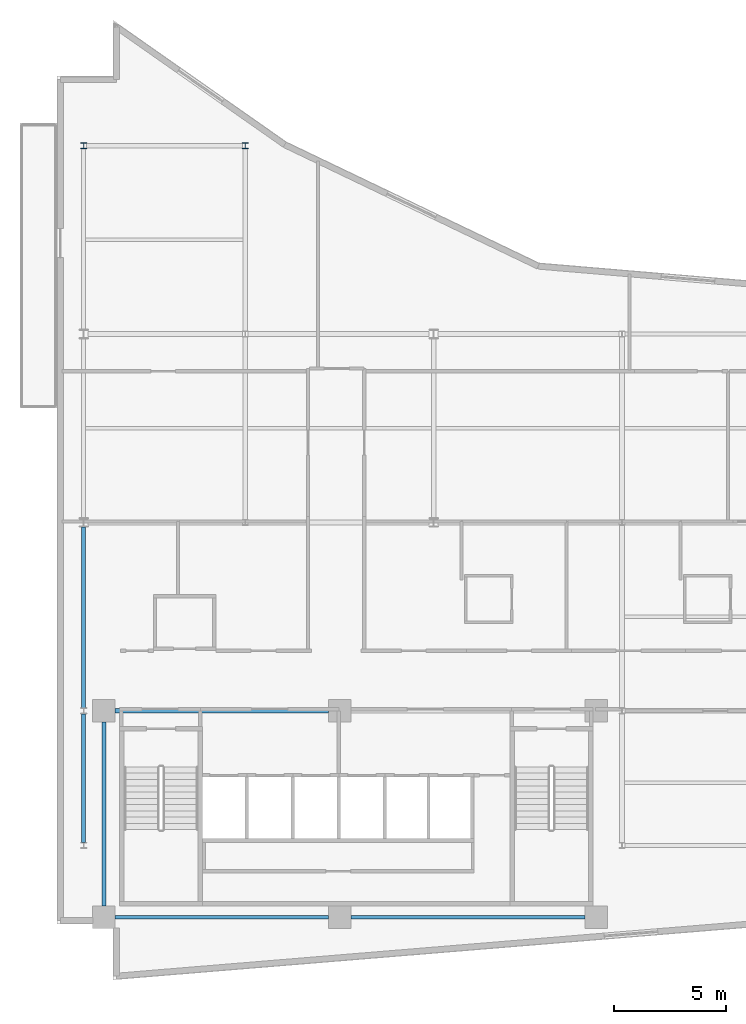
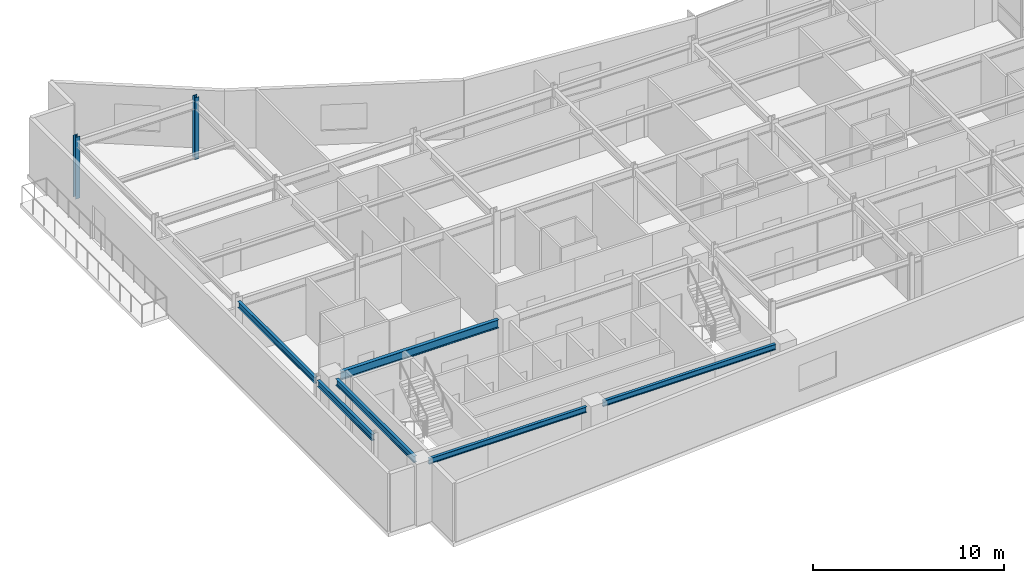
# One storey, part 3 of 17: 6 beams, 2 columns.
"""IFC4 building model written with IfcOpenShell, lengths in metres."""

from ifc_helpers import new_model, si_unit, direction, frame, origin, origin_2d, place, context, subcontext, project, spatial, i_section, extrude, material, material_profile, profile_set, type_object, element, save


model = new_model("IFC4")

# Units and contexts
model_context = context("Model", 3, precision=1e-05, world=origin(), true_north=direction((0.0, 1.0)))
body_context = subcontext(model_context, "Body", "Model", "MODEL_VIEW")
ifc_project = project(units=[si_unit("LENGTHUNIT", "METRE"), si_unit("AREAUNIT", "SQUARE_METRE"), si_unit("VOLUMEUNIT", "CUBIC_METRE"), si_unit("PLANEANGLEUNIT", "RADIAN"), si_unit("MASSUNIT", "GRAM", prefix="KILO")], contexts=[model_context])

# Site, building, storey
site_placement = place(None, origin())
site = spatial("IfcSite", under=ifc_project, at=site_placement, CompositionType="ELEMENT")
building_placement = place(site_placement, origin())
building = spatial("IfcBuilding", under=site, at=building_placement, Name="Varnakote Quay Hospital", CompositionType="ELEMENT")
storey_placement = place(building_placement, frame((0.0, 0.0, 184.199951171875)))
storey = spatial("IfcBuildingStorey", under=building, at=storey_placement, Name="L45", CompositionType="ELEMENT", Elevation=184.199951171875)

# Columns
ifc_material_1 = material(Name="Structural steel AS/NZS 3679.1 Grade 350 L0 (fy 340 MPa)", Category="steel")
ifc_material_profile_1 = material_profile(ifc_material_1, i_section(OverallWidth=0.256103515625, OverallDepth=0.260009765625, WebThickness=0.010498046875, FlangeThickness=0.017333984375, FilletRadius=0.0126953125, at=origin_2d()), Name="250UC89.5")
ifc_profile_set_1 = profile_set([ifc_material_profile_1], Name="Structural steel AS/NZS 3679.1 Grade 350 L0 (fy 340 MPa)")
column_type = type_object("IfcColumnType", Name="COL-STL-250UC89-5", PredefinedType="COLUMN", material=ifc_profile_set_1)
for number, where, z_axis, x_axis, name in (
    (1, (1.199951171875, 37.199951171875, 0.0), (0.0, 0.0, 1.0), (1.0, 0.0, 0.0), "L45 Structural Column C-1-37"),
    (2, (8.39990234375, 37.199951171875, 0.0), (0.0, 0.0, 1.0), (1.0, 0.0, 0.0), "L45 Structural Column C-8-37"),
):
    element("IfcColumn", number, at=place(storey_placement, frame(where, z_axis=z_axis, x_axis=x_axis)), inside=storey, type_object=column_type, Name=name, PredefinedType="COLUMN", context=body_context, shape_type="SweptSolid", body=[
        extrude(i_section(OverallWidth=0.256103515625, OverallDepth=0.260009765625, WebThickness=0.010498046875, FlangeThickness=0.017333984375, FilletRadius=0.0126953125, at=origin_2d()), origin(), (0.0, 0.0, 1.0), 3.949951171875),
    ])

# Beams
ifc_material_2 = material(Name="Structural steel AS/NZS 3679.1 Grade 350 L0 (fy 340 MPa)", Category="steel")
ifc_material_profile_2 = material_profile(ifc_material_2, i_section(OverallWidth=0.208984375, OverallDepth=0.532958984375, WebThickness=0.01025390625, FlangeThickness=0.015625, FilletRadius=0.013916015625, at=origin_2d()), Name="530UB92.4")
ifc_profile_set_2 = profile_set([ifc_material_profile_2], Name="Structural steel AS/NZS 3679.1 Grade 350 L0 (fy 340 MPa)")
beam_type_1 = type_object("IfcBeamType", Name="BM-STL-530UB92-4", PredefinedType="BEAM", material=ifc_profile_set_2)
beam_1_placement = place(storey_placement, frame((2.60009765625, 12.0, 3.443603515625), z_axis=(1.0, 0.0, 0.0), x_axis=(0.0, 1.0, 0.0)))
element("IfcBeam", 3, at=beam_1_placement, inside=storey, type_object=beam_type_1, Name="L45 Primary Floor Beam", PredefinedType="BEAM", context=body_context, shape_type="SweptSolid", body=[
    extrude(i_section(OverallWidth=0.208984375, OverallDepth=0.532958984375, WebThickness=0.01025390625, FlangeThickness=0.015625, FilletRadius=0.013916015625, at=origin_2d()), origin(), (0.0, 0.0, 1.0), 9.52001953125),
])
ifc_material_3 = material(Name="Structural steel AS/NZS 3679.1 Grade 350 L0 (fy 340 MPa)", Category="steel")
ifc_material_profile_3 = material_profile(ifc_material_3, i_section(OverallWidth=0.172119140625, OverallDepth=0.35888671875, WebThickness=0.008056640625, FlangeThickness=0.012939453125, FilletRadius=0.011474609375, at=origin_2d()), Name="360UB56.7")
ifc_profile_set_3 = profile_set([ifc_material_profile_3], Name="Structural steel AS/NZS 3679.1 Grade 350 L0 (fy 340 MPa)")
beam_type_2 = type_object("IfcBeamType", Name="SPN-STL-360UB56-7", PredefinedType="SPANDREL", material=ifc_profile_set_3)
beam_2_placement = place(storey_placement, frame((2.60009765625, 2.800048828125, 3.530517578125), z_axis=(1.0, 0.0, 0.0), x_axis=(0.0, 1.0, 0.0)))
element("IfcBeam", 4, at=beam_2_placement, inside=storey, type_object=beam_type_2, Name="L45 Perimeter Spandrel Beam", PredefinedType="SPANDREL", context=body_context, shape_type="SweptSolid", body=[
    extrude(i_section(OverallWidth=0.172119140625, OverallDepth=0.35888671875, WebThickness=0.008056640625, FlangeThickness=0.012939453125, FilletRadius=0.011474609375, at=origin_2d()), origin(), (0.0, 0.0, 1.0), 9.52001953125),
])
beam_3_placement = place(storey_placement, frame((13.1201171875, 2.800048828125, 3.530517578125), z_axis=(1.0, 0.0, 0.0), x_axis=(0.0, 1.0, 0.0)))
element("IfcBeam", 5, at=beam_3_placement, inside=storey, type_object=beam_type_2, Name="L45 Perimeter Spandrel Beam", PredefinedType="SPANDREL", context=body_context, shape_type="SweptSolid", body=[
    extrude(i_section(OverallWidth=0.172119140625, OverallDepth=0.35888671875, WebThickness=0.008056640625, FlangeThickness=0.012939453125, FilletRadius=0.011474609375, at=origin_2d()), origin(), (0.0, 0.0, 1.0), 10.429931640625),
])
ifc_material_4 = material(Name="Structural steel AS/NZS 3679.1 Grade 350 L0 (fy 340 MPa)", Category="steel")
ifc_material_profile_4 = material_profile(ifc_material_4, i_section(OverallWidth=0.177978515625, OverallDepth=0.403076171875, WebThickness=0.007568359375, FlangeThickness=0.010986328125, FilletRadius=0.011474609375, at=origin_2d()), Name="410UB53.7")
ifc_profile_set_4 = profile_set([ifc_material_profile_4], Name="Structural steel AS/NZS 3679.1 Grade 350 L0 (fy 340 MPa)")
beam_type_3 = type_object("IfcBeamType", Name="SPN-STL-410UB53-7", PredefinedType="SPANDREL", material=ifc_profile_set_4)
beam_4_placement = place(storey_placement, frame((1.199951171875, 6.1298828125, 3.508544921875), z_axis=(0.0, 1.0, 0.0), x_axis=(-1.0, 0.0, 0.0)))
element("IfcBeam", 6, at=beam_4_placement, inside=storey, type_object=beam_type_3, Name="L45 Perimeter Spandrel Beam", PredefinedType="SPANDREL", context=body_context, shape_type="SweptSolid", body=[
    extrude(i_section(OverallWidth=0.177978515625, OverallDepth=0.403076171875, WebThickness=0.007568359375, FlangeThickness=0.010986328125, FilletRadius=0.011474609375, at=origin_2d()), origin(), (0.0, 0.0, 1.0), 5.740234375),
])
beam_5_placement = place(storey_placement, frame((1.199951171875, 12.1298828125, 3.508544921875), z_axis=(0.0, 1.0, 0.0), x_axis=(-1.0, 0.0, 0.0)))
element("IfcBeam", 7, at=beam_5_placement, inside=storey, type_object=beam_type_3, Name="L45 Perimeter Spandrel Beam", PredefinedType="SPANDREL", context=body_context, shape_type="SweptSolid", body=[
    extrude(i_section(OverallWidth=0.177978515625, OverallDepth=0.403076171875, WebThickness=0.007568359375, FlangeThickness=0.010986328125, FilletRadius=0.011474609375, at=origin_2d()), origin(), (0.0, 0.0, 1.0), 8.068115234375),
])
beam_6_placement = place(storey_placement, frame((2.10009765625, 3.300048828125, 3.508544921875), z_axis=(0.0, 1.0, 0.0), x_axis=(-1.0, 0.0, 0.0)))
element("IfcBeam", 8, at=beam_6_placement, inside=storey, type_object=beam_type_3, Name="L45 Perimeter Spandrel Beam", PredefinedType="SPANDREL", context=body_context, shape_type="SweptSolid", body=[
    extrude(i_section(OverallWidth=0.177978515625, OverallDepth=0.403076171875, WebThickness=0.007568359375, FlangeThickness=0.010986328125, FilletRadius=0.011474609375, at=origin_2d()), origin(), (0.0, 0.0, 1.0), 8.199951171875),
])

save(model, "model.ifc")
